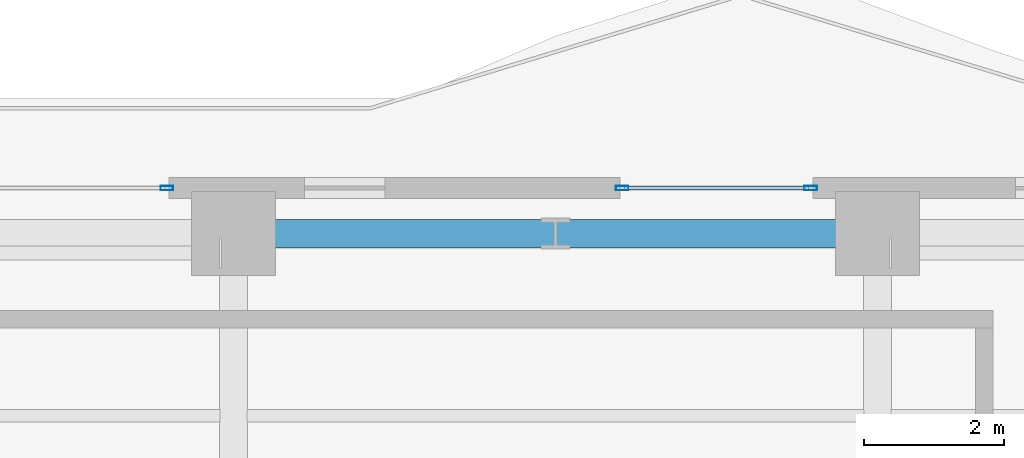
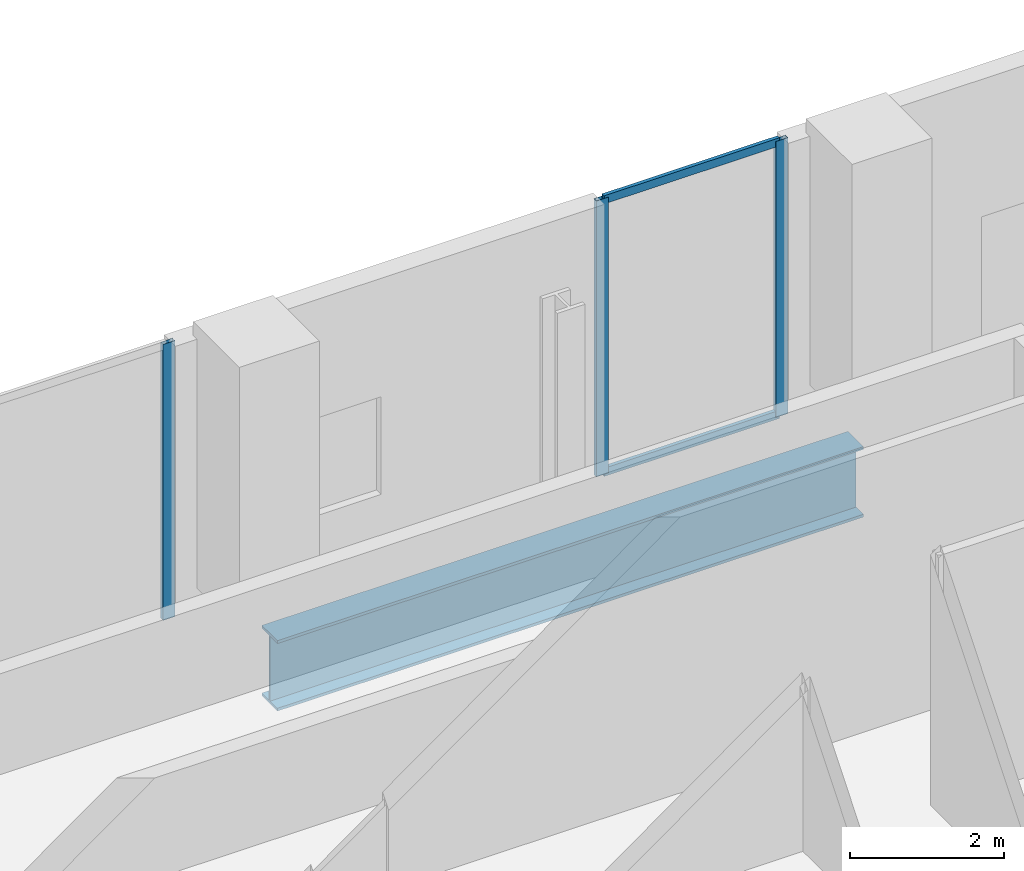
# One storey, part 20 of 33: 5 members, 1 beam, 2 elements without a shape of their own.
"""IFC4 building model written with IfcOpenShell, lengths in metres."""

from ifc_helpers import new_model, si_unit, direction, frame, origin, origin_2d, place, context, subcontext, project, spatial, hollow_rectangle, i_section, extrude, material, layer, layer_set, material_profile, profile_set, type_object, element, aggregate, save


model = new_model("IFC4")

# Units and contexts
model_context = context("Model", 3, precision=1e-05, world=origin(), true_north=direction((0.0, 1.0)))
body_context = subcontext(model_context, "Body", "Model", "MODEL_VIEW")
ifc_project = project(units=[si_unit("LENGTHUNIT", "METRE"), si_unit("AREAUNIT", "SQUARE_METRE"), si_unit("VOLUMEUNIT", "CUBIC_METRE"), si_unit("PLANEANGLEUNIT", "RADIAN"), si_unit("MASSUNIT", "GRAM", prefix="KILO")], contexts=[model_context])

# Site, building, storey
site_placement = place(None, origin())
site = spatial("IfcSite", under=ifc_project, at=site_placement, CompositionType="ELEMENT")
building_placement = place(site_placement, origin())
building = spatial("IfcBuilding", under=site, at=building_placement, Name="Zuhayl Quay Hotel", CompositionType="ELEMENT")
storey_placement = place(building_placement, frame((0.0, 0.0, 168.199951171875)))
storey = spatial("IfcBuildingStorey", under=building, at=storey_placement, Name="L42", CompositionType="ELEMENT", Elevation=168.199951171875)

# Beam
ifc_material_1 = material(Name="Steel ASTM A913 Grade 65", Category="steel")
ifc_material_profile_1 = material_profile(ifc_material_1, i_section(OverallWidth=0.404052734375, OverallDepth=1.117919921875, WebThickness=0.026123046875, FlangeThickness=0.044921875, at=origin_2d()), Name="W44X335")
ifc_profile_set_1 = profile_set([ifc_material_profile_1], Name="Steel ASTM A913 Grade 65")
beam_type = type_object("IfcBeamType", Name="BM_TG1_W44X335", PredefinedType="BEAM", material=ifc_profile_set_1)
beam_placement = place(storey_placement, frame((4.39990234375, 32.949951171875, -0.81884765625), z_axis=(-1.0, 0.0, 0.0), x_axis=(0.0, -1.0, 0.0)))
element("IfcBeam", 1, at=beam_placement, inside=storey, type_object=beam_type, Name="L42 Floor Beam RG_L42_08", PredefinedType="BEAM", context=body_context, shape_type="SweptSolid", body=[
    extrude(i_section(OverallWidth=0.404052734375, OverallDepth=1.117919921875, WebThickness=0.026123046875, FlangeThickness=0.044921875, at=origin_2d()), origin(), (0.0, 0.0, 1.0), 8.7998046875),
])

# Curtain wall, member
ifc_material_2 = material(Name="Anodised Aluminium 6063-T6", Category="aluminium")
ifc_layer = layer(ifc_material_2, 0.175048828125, Name="Anodised Aluminium 6063-T6", Category="aluminium")
ifc_layer_set = layer_set([ifc_layer], Name="Anodised Aluminium 6063-T6")
curtain_wall_type = type_object("IfcCurtainWallType", Name="CW_SYS_Z3", PredefinedType="USERDEFINED", material=ifc_layer_set)
curtain_wall_1_placement = place(storey_placement, origin())
curtain_wall_1 = element("IfcCurtainWall", 2, at=curtain_wall_1_placement, inside=storey, type_object=curtain_wall_type, Name="L42 Curtain Wall ENV_L42_N_CW2", ObjectType="UNITISED CURTAIN WALL", PredefinedType="USERDEFINED")
ifc_material_3 = material(Name="Black-anodised aluminium 6063-T6", Category="aluminium")
ifc_material_profile_2 = material_profile(ifc_material_3, hollow_rectangle(XDim=0.06494140625, YDim=0.179931640625, WallThickness=0.00341796875, at=origin_2d()), Name="ALU180X65")
ifc_profile_set_2 = profile_set([ifc_material_profile_2], Name="Black-anodised aluminium 6063-T6")
member_type_1 = type_object("IfcMemberType", Name="MB_CW_MUL_180", PredefinedType="MULLION", material=ifc_profile_set_2)
member_1_placement = place(storey_placement, frame((-5.552490234375, 33.60009765625, 0.0), z_axis=(0.0, 0.0, 1.0), x_axis=(0.0, 1.0, 0.0)))
member_1 = element("IfcMember", 3, at=member_1_placement, type_object=member_type_1, Name="CW-Z3 mullion 2", PredefinedType="MULLION", context=body_context, shape_type="SweptSolid", body=[
    extrude(hollow_rectangle(XDim=0.06494140625, YDim=0.179931640625, WallThickness=0.00341796875, at=origin_2d()), origin(), (0.0, 0.0, 1.0), 4.380126953125),
])
aggregate(curtain_wall_1, [member_1])

# Curtain wall, members
curtain_wall_2_placement = place(storey_placement, origin())
curtain_wall_2 = element("IfcCurtainWall", 4, at=curtain_wall_2_placement, inside=storey, type_object=curtain_wall_type, Name="L42 Curtain Wall ENV_L42_N_CW3", ObjectType="UNITISED CURTAIN WALL", PredefinedType="USERDEFINED")
member_2_placement = place(storey_placement, frame((0.952392578125, 33.60009765625, 0.0), z_axis=(0.0, 0.0, 1.0), x_axis=(0.0, 1.0, 0.0)))
member_2 = element("IfcMember", 5, at=member_2_placement, type_object=member_type_1, Name="CW-Z3 mullion 1", PredefinedType="MULLION", context=body_context, shape_type="SweptSolid", body=[
    extrude(hollow_rectangle(XDim=0.06494140625, YDim=0.179931640625, WallThickness=0.00341796875, at=origin_2d()), origin(), (0.0, 0.0, 1.0), 4.380126953125),
])
member_3_placement = place(storey_placement, frame((3.6474609375, 33.60009765625, 0.0), z_axis=(0.0, 0.0, 1.0), x_axis=(0.0, 1.0, 0.0)))
member_3 = element("IfcMember", 6, at=member_3_placement, type_object=member_type_1, Name="CW-Z3 mullion 2", PredefinedType="MULLION", context=body_context, shape_type="SweptSolid", body=[
    extrude(hollow_rectangle(XDim=0.06494140625, YDim=0.179931640625, WallThickness=0.00341796875, at=origin_2d()), origin(), (0.0, 0.0, 1.0), 4.380126953125),
])
ifc_material_profile_3 = material_profile(ifc_material_3, hollow_rectangle(XDim=0.054931640625, YDim=0.1298828125, WallThickness=0.0029296875, at=origin_2d()), Name="ALU130X55")
ifc_profile_set_3 = profile_set([ifc_material_profile_3], Name="Black-anodised aluminium 6063-T6")
member_type_2 = type_object("IfcMemberType", Name="MB_CW_TRN_130", PredefinedType="USERDEFINED", material=ifc_profile_set_3)
member_4_placement = place(storey_placement, frame((0.985107421875, 33.60009765625, 0.027587890625), z_axis=(1.0, 0.0, 0.0), x_axis=(0.0, 1.0, 0.0)))
member_4 = element("IfcMember", 7, at=member_4_placement, type_object=member_type_2, Name="CW-Z3 transom 1.1", ObjectType="TRANSOM", PredefinedType="USERDEFINED", context=body_context, shape_type="SweptSolid", body=[
    extrude(hollow_rectangle(XDim=0.054931640625, YDim=0.1298828125, WallThickness=0.0029296875, at=origin_2d()), origin(), (0.0, 0.0, 1.0), 2.6298828125),
])
member_5_placement = place(storey_placement, frame((0.985107421875, 33.60009765625, 4.3525390625), z_axis=(1.0, 0.0, 0.0), x_axis=(0.0, 1.0, 0.0)))
member_5 = element("IfcMember", 8, at=member_5_placement, type_object=member_type_2, Name="CW-Z3 transom 1.2", ObjectType="TRANSOM", PredefinedType="USERDEFINED", context=body_context, shape_type="SweptSolid", body=[
    extrude(hollow_rectangle(XDim=0.054931640625, YDim=0.1298828125, WallThickness=0.0029296875, at=origin_2d()), origin(), (0.0, 0.0, 1.0), 2.6298828125),
])
aggregate(curtain_wall_2, [member_2, member_3, member_4, member_5])

save(model, "model.ifc")
